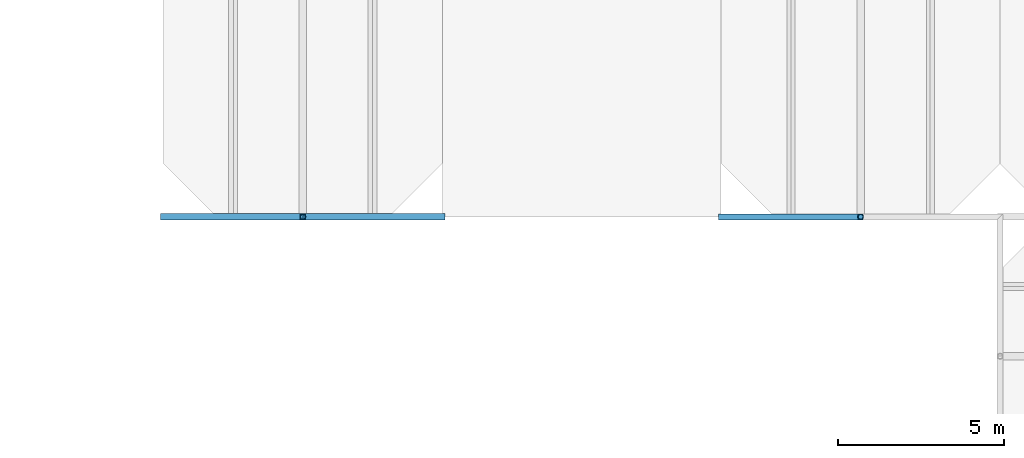
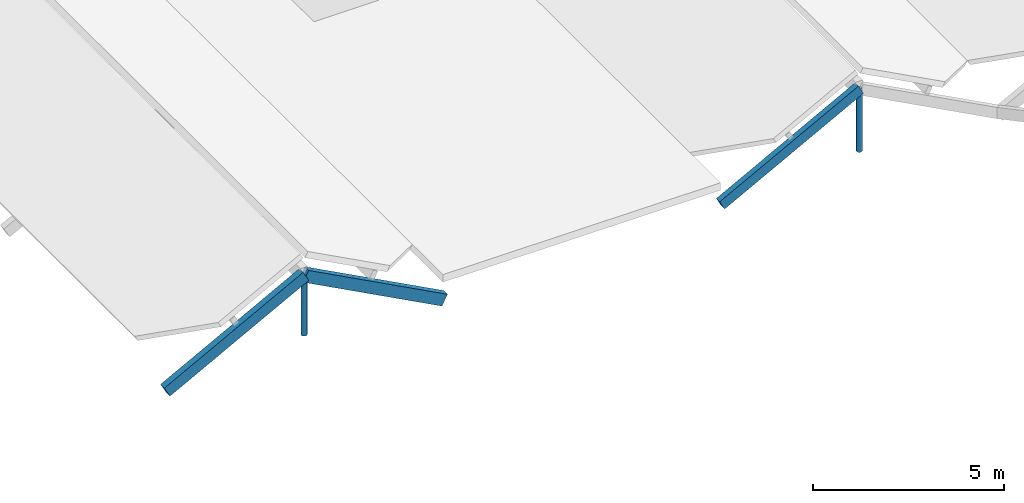
# One storey, part 45 of 82: 5 members.
"""IFC4 building model written with IfcOpenShell, lengths in metres."""

from ifc_helpers import new_model, si_unit, direction, frame, origin, origin_2d, place, context, subcontext, project, spatial, rectangle, hollow_circle, extrude, material, material_profile, profile_set, type_object, element, save


model = new_model("IFC4")

# Units and contexts
model_context = context("Model", 3, precision=1e-05, world=origin(), true_north=direction((0.0, 1.0)))
body_context = subcontext(model_context, "Body", "Model", "MODEL_VIEW")
ifc_project = project(units=[si_unit("LENGTHUNIT", "METRE"), si_unit("AREAUNIT", "SQUARE_METRE"), si_unit("VOLUMEUNIT", "CUBIC_METRE"), si_unit("PLANEANGLEUNIT", "RADIAN"), si_unit("MASSUNIT", "GRAM", prefix="KILO")], contexts=[model_context])

# Site, building, storey
site_placement = place(None, origin())
site = spatial("IfcSite", under=ifc_project, at=site_placement, CompositionType="ELEMENT")
building_placement = place(site_placement, origin())
building = spatial("IfcBuilding", under=site, at=building_placement, Name="Bramfleet General Hospital", CompositionType="ELEMENT")
storey_placement = place(building_placement, frame((0.0, 0.0, 34.199951171875)))
storey = spatial("IfcBuildingStorey", under=building, at=storey_placement, Name="Roof", CompositionType="ELEMENT", Elevation=34.199951171875)

# Members
ifc_material_1 = material(Name="Structural timber GL28h", Category="wood")
ifc_material_profile_1 = material_profile(ifc_material_1, rectangle(XDim=0.179931640625, YDim=0.320068359375, at=origin_2d()), Name="GL28h 320x180")
ifc_profile_set_1 = profile_set([ifc_material_profile_1], Name="Structural timber GL28h")
member_type_1 = type_object("IfcMemberType", Name="MEM-RF-GL320", PredefinedType="RAFTER", material=ifc_profile_set_1)
member_1_placement = place(storey_placement, frame((84.0, 92.39990234375, -0.671875), z_axis=(0.882947536541, 0.0, 0.469471668705), x_axis=(0.0, 1.0, 0.0)))
element("IfcMember", 1, at=member_1_placement, inside=storey, type_object=member_type_1, Name="Patient House PH-02 West Glulam Rafter 0", PredefinedType="RAFTER", context=body_context, shape_type="SweptSolid", body=[
    extrude(rectangle(XDim=0.179931640625, YDim=0.320068359375, at=origin_2d()), origin(), (0.0, 0.0, 1.0), 4.7568359375),
])
ifc_material_profile_2 = material_profile(ifc_material_1, rectangle(XDim=0.199951171875, YDim=0.360107421875, at=origin_2d()), Name="GL28h 360x200")
ifc_profile_set_2 = profile_set([ifc_material_profile_2], Name="Structural timber GL28h")
member_type_2 = type_object("IfcMemberType", Name="MEM-RF-GL360", PredefinedType="RAFTER", material=ifc_profile_set_2)
for number, where, z_axis, x_axis, name in (
    (2, (67.199951171875, 92.39990234375, -0.75634765625), (0.882947536541, 0.0, 0.469471668705), (0.0, 1.0, 0.0), "Patient House PH-01 West Glulam Rafter 0"),
    (3, (71.39990234375, 92.39990234375, 1.476806640625), (0.882958848035, 0.0, -0.469450394267), (0.0, 1.0, 0.0), "Patient House PH-01 East Glulam Rafter 0"),
):
    element("IfcMember", number, at=place(storey_placement, frame(where, z_axis=z_axis, x_axis=x_axis)), inside=storey, type_object=member_type_2, Name=name, PredefinedType="RAFTER", context=body_context, shape_type="SweptSolid", body=[
        extrude(rectangle(XDim=0.199951171875, YDim=0.360107421875, at=origin_2d()), origin(), (0.0, 0.0, 1.0), 4.7568359375),
    ])
ifc_material_2 = material(Name="Steel S355", Category="steel")
ifc_material_profile_3 = material_profile(ifc_material_2, hollow_circle(Radius=0.084228515625, WallThickness=0.008056640625, at=origin_2d()), Name="CHS 168.3x8.0")
ifc_profile_set_3 = profile_set([ifc_material_profile_3], Name="Steel S355")
member_type_3 = type_object("IfcMemberType", Name="MEM-SF-DG1", PredefinedType="STRUT", material=ifc_profile_set_3)
member_2_placement = place(storey_placement, frame((71.39990234375, 92.39990234375, -0.43994140625), z_axis=(0.0, 0.0, 1.0), x_axis=(1.0, 0.0, 0.0)))
element("IfcMember", 4, at=member_2_placement, inside=storey, type_object=member_type_3, Name="Patient House PH-01 Ridge Timber Post 0", PredefinedType="STRUT", context=body_context, shape_type="SweptSolid", body=[
    extrude(hollow_circle(Radius=0.084228515625, WallThickness=0.008056640625, at=origin_2d()), origin(), (0.0, 0.0, 1.0), 1.916748046875),
])
member_3_placement = place(storey_placement, frame((88.199951171875, 92.39990234375, -0.43994140625), z_axis=(0.0, 0.0, 1.0), x_axis=(1.0, 0.0, 0.0)))
element("IfcMember", 5, at=member_3_placement, inside=storey, type_object=member_type_3, Name="Patient House PH-02 Ridge Timber Post 0", PredefinedType="STRUT", context=body_context, shape_type="SweptSolid", body=[
    extrude(hollow_circle(Radius=0.084228515625, WallThickness=0.008056640625, at=origin_2d()), origin(), (0.0, 0.0, 1.0), 2.001220703125),
])

save(model, "model.ifc")
